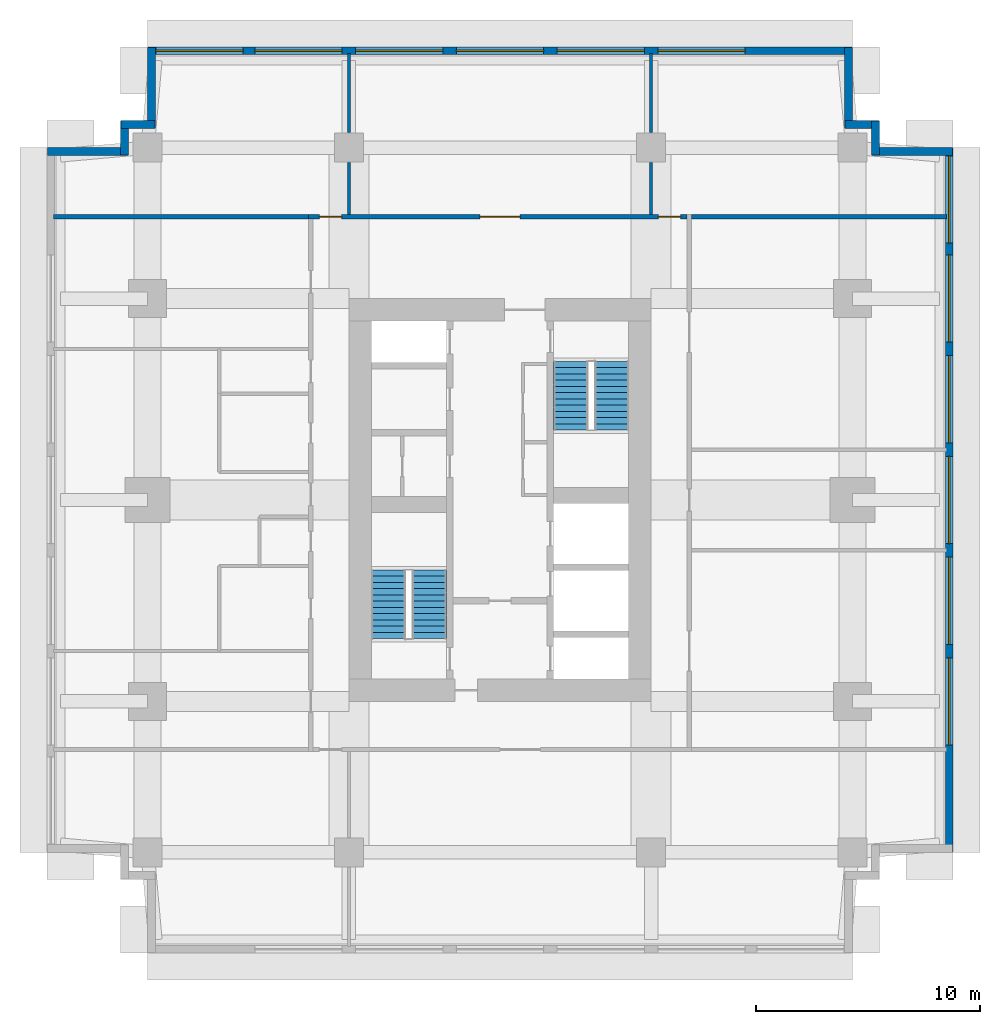
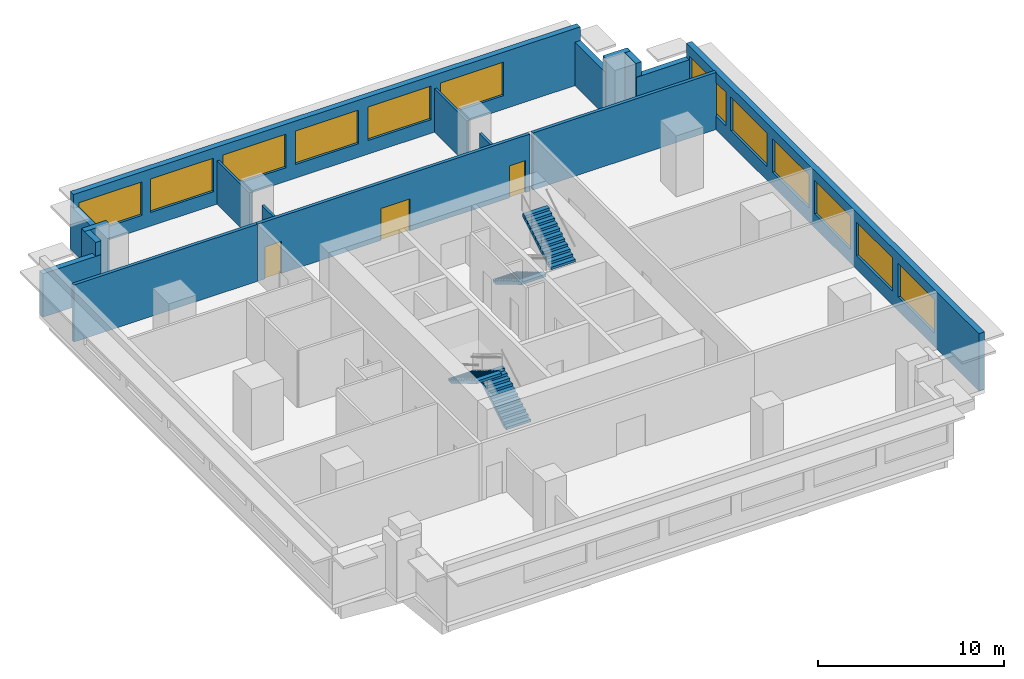
# One storey, part 4 of 5: 17 walls, 12 windows, 4 stair flights, 3 doors, 15 openings, 2 elements without a shape of their own.
"""IFC4 building model written with IfcOpenShell, lengths in metres."""

from ifc_helpers import new_model, si_unit, direction, frame, frame_2d, origin, place, context, subcontext, project, spatial, polyline, rectangle, outline, extrude, material, layer, layer_set, type_object, element, fill, aggregate, save


model = new_model("IFC4")

# Units and contexts
model_context = context("Model", 3, precision=1e-05, world=origin(), true_north=direction((0.0, 1.0)))
body_context = subcontext(model_context, "Body", "Model", "MODEL_VIEW")
ifc_project = project(units=[si_unit("LENGTHUNIT", "METRE"), si_unit("AREAUNIT", "SQUARE_METRE"), si_unit("VOLUMEUNIT", "CUBIC_METRE"), si_unit("PLANEANGLEUNIT", "RADIAN"), si_unit("MASSUNIT", "GRAM", prefix="KILO")], contexts=[model_context])

# Site, building, storey
site_placement = place(None, origin())
site = spatial("IfcSite", under=ifc_project, at=site_placement, CompositionType="ELEMENT")
building_placement = place(site_placement, origin())
building = spatial("IfcBuilding", under=site, at=building_placement, Name="Namib Vertical Campus", CompositionType="ELEMENT")
storey_placement = place(building_placement, frame((0.0, 0.0, 273.0)))
storey = spatial("IfcBuildingStorey", under=building, at=storey_placement, Name="L64", CompositionType="ELEMENT", Elevation=273.0)

# Wall, openings, doors
ifc_material_1 = material(Name="Concrete masonry", Category="masonry")
ifc_layer_1 = layer(ifc_material_1, 0.199951171875)
ifc_layer_set_1 = layer_set([ifc_layer_1], Name="Corridor wall 200")
wall_type_1 = type_object("IfcWallType", Name="Corridor wall 200", PredefinedType="SOLIDWALL", material=ifc_layer_set_1)
wall_1_placement = place(storey_placement, frame((28.60009765625, 32.89990234375, 0.0), z_axis=(0.0, 0.0, 1.0), x_axis=(-1.0, 0.0, 0.0)))
wall_1 = element("IfcWall", 1, at=wall_1_placement, inside=storey, type_object=wall_type_1, Name="Corridor wall A L64 CN", PredefinedType="SOLIDWALL", context=body_context, shape_type="SweptSolid", body=[
    extrude(rectangle(XDim=16.900146484375, YDim=0.199951171875, at=frame_2d((8.4501953125, 0.0))), origin(), (0.0, 0.0, 1.0), 3.75),
])
opening_1_placement = place(wall_1_placement, frame((15.425048828125, 0.0, 0.0)))
opening_1 = element("IfcOpeningElement", 2, at=opening_1_placement, cuts=wall_1, Name="Opening CD1", PredefinedType="OPENING", context=body_context, shape_type="SweptSolid", body=[
    extrude(rectangle(XDim=1.0, YDim=2.10009765625, at=frame_2d((0.5, 1.050048828125))), frame((0.0, 0.10986328125, 0.0), z_axis=(0.0, -1.0, 0.0), x_axis=(1.0, 0.0, 0.0)), (0.0, 0.0, 1.0), 0.219970703125),
])
opening_2_placement = place(wall_1_placement, frame((7.449951171875, 0.0, 0.0)))
opening_2 = element("IfcOpeningElement", 3, at=opening_2_placement, cuts=wall_1, Name="Opening CD2", PredefinedType="OPENING", context=body_context, shape_type="SweptSolid", body=[
    extrude(rectangle(XDim=1.800048828125, YDim=2.10009765625, at=frame_2d((0.89990234375, 1.050048828125))), frame((0.0, 0.10986328125, 0.0), z_axis=(0.0, -1.0, 0.0), x_axis=(1.0, 0.0, 0.0)), (0.0, 0.0, 1.0), 0.219970703125),
])
opening_3_placement = place(wall_1_placement, frame((0.27490234375, 0.0, 0.0)))
opening_3 = element("IfcOpeningElement", 4, at=opening_3_placement, cuts=wall_1, Name="Opening CD1", PredefinedType="OPENING", context=body_context, shape_type="SweptSolid", body=[
    extrude(rectangle(XDim=1.0, YDim=2.10009765625, at=frame_2d((0.5, 1.050048828125))), frame((0.0, 0.10986328125, 0.0), z_axis=(0.0, -1.0, 0.0), x_axis=(1.0, 0.0, 0.0)), (0.0, 0.0, 1.0), 0.219970703125),
])
ifc_material_2 = material(Name="Timber fire door leaf", Category="wood")
door_type_1 = type_object("IfcDoorType", Name="Corridor door 1000x2100 20 min", OperationType="SINGLE_SWING_LEFT", PredefinedType="DOOR", material=ifc_material_2)
door_1_placement = place(opening_1_placement, frame((1.0, 0.0, 0.0), z_axis=(0.0, 0.0, 1.0), x_axis=(-1.0, 0.0, 0.0)))
door_1 = element("IfcDoor", 5, at=door_1_placement, inside=storey, type_object=door_type_1, Name="Door CD1 A64-06", OperationType="SINGLE_SWING_RIGHT", OverallHeight=2.10009765625, OverallWidth=1.0, PredefinedType="DOOR", context=body_context, shape_type="SweptSolid", body=[
    extrude(rectangle(XDim=1.0, YDim=2.10009765625, at=frame_2d((0.5, 1.050048828125))), frame((0.0, 0.02490234375, 0.0), z_axis=(0.0, -1.0, 0.0), x_axis=(1.0, 0.0, 0.0)), (0.0, 0.0, 1.0), 0.050048828125),
])
fill(opening_1, door_1)
door_2_placement = place(opening_3_placement, frame((1.0, 0.0, 0.0), z_axis=(0.0, 0.0, 1.0), x_axis=(-1.0, 0.0, 0.0)))
door_2 = element("IfcDoor", 6, at=door_2_placement, inside=storey, type_object=door_type_1, Name="Door CD1 A64-08", OperationType="SINGLE_SWING_LEFT", OverallHeight=2.10009765625, OverallWidth=1.0, PredefinedType="DOOR", context=body_context, shape_type="SweptSolid", body=[
    extrude(rectangle(XDim=1.0, YDim=2.10009765625, at=frame_2d((0.5, 1.050048828125))), frame((0.0, 0.02490234375, 0.0), z_axis=(0.0, -1.0, 0.0), x_axis=(1.0, 0.0, 0.0)), (0.0, 0.0, 1.0), 0.050048828125),
])
fill(opening_3, door_2)
ifc_material_3 = material(Name="Timber fire door leaf", Category="wood")
door_type_2 = type_object("IfcDoorType", Name="Corridor door double 1800x2100 20 min", OperationType="DOUBLE_DOOR_SINGLE_SWING", PredefinedType="DOOR", material=ifc_material_3)
door_3_placement = place(opening_2_placement, frame((1.800048828125, 0.0, 0.0), z_axis=(0.0, 0.0, 1.0), x_axis=(-1.0, 0.0, 0.0)))
door_3 = element("IfcDoor", 7, at=door_3_placement, inside=storey, type_object=door_type_2, Name="Door CD2 A64-07", OperationType="DOUBLE_DOOR_SINGLE_SWING", OverallHeight=2.10009765625, OverallWidth=1.800048828125, PredefinedType="DOOR", context=body_context, shape_type="SweptSolid", body=[
    extrude(rectangle(XDim=1.800048828125, YDim=2.10009765625, at=frame_2d((0.89990234375, 1.050048828125))), frame((0.0, 0.02490234375, 0.0), z_axis=(0.0, -1.0, 0.0), x_axis=(1.0, 0.0, 0.0)), (0.0, 0.0, 1.0), 0.050048828125),
])
fill(opening_2, door_3)

# Walls
for number, where, z_axis, x_axis, name in (
    (8, (0.300048828125, 32.89990234375, 0.0), (0.0, 0.0, 1.0), (1.0, 0.0, 0.0), "Partition A L64 BNW"),
    (9, (28.800048828125, 32.89990234375, 0.0), (0.0, 0.0, 1.0), (1.0, 0.0, 0.0), "Partition A L64 BNE"),
):
    element("IfcWall", number, at=place(storey_placement, frame(where, z_axis=z_axis, x_axis=x_axis)), inside=storey, type_object=wall_type_1, Name=name, PredefinedType="SOLIDWALL", context=body_context, shape_type="SweptSolid", body=[
        extrude(rectangle(XDim=11.39990234375, YDim=0.199951171875, at=frame_2d((5.699951171875, 0.0))), origin(), (0.0, 0.0, 1.0), 3.75),
    ])

# Wall, openings, windows
ifc_material_4 = material(Name="Concrete C40/50", Category="concrete")
ifc_layer_2 = layer(ifc_material_4, 0.35009765625)
ifc_layer_set_2 = layer_set([ifc_layer_2], Name="Concrete C40/50")
wall_type_2 = type_object("IfcWallType", Name="External wall 350 bush-hammered concrete", PredefinedType="STANDARD", material=ifc_layer_set_2)
wall_2_placement = place(storey_placement, frame((40.324951171875, 4.52001953125, 0.0), z_axis=(0.0, 0.0, 1.0), x_axis=(0.0, 1.0, 0.0)))
wall_2 = element("IfcWall", 10, at=wall_2_placement, inside=storey, type_object=wall_type_2, Name="External wall L64 F06", PredefinedType="STANDARD", context=body_context, shape_type="SweptSolid", body=[
    extrude(rectangle(XDim=31.4599609375, YDim=0.35009765625, at=frame_2d((15.72998046875, 0.0))), origin(), (0.0, 0.0, 1.0), 3.75),
])
opening_4_placement = place(wall_2_placement, frame((4.780029296875, 0.0, 0.89990234375)))
opening_4 = element("IfcOpeningElement", 11, at=opening_4_placement, cuts=wall_2, Name="Opening W1", PredefinedType="OPENING", context=body_context, shape_type="SweptSolid", body=[
    extrude(rectangle(XDim=3.89990234375, YDim=2.199951171875, at=frame_2d((1.949951171875, 1.10009765625))), frame((0.0, 0.18505859375, 0.0), z_axis=(0.0, -1.0, 0.0), x_axis=(1.0, 0.0, 0.0)), (0.0, 0.0, 1.0), 0.3701171875),
])
opening_5_placement = place(wall_2_placement, frame((9.280029296875, 0.0, 0.89990234375)))
opening_5 = element("IfcOpeningElement", 12, at=opening_5_placement, cuts=wall_2, Name="Opening W1", PredefinedType="OPENING", context=body_context, shape_type="SweptSolid", body=[
    extrude(rectangle(XDim=3.89990234375, YDim=2.199951171875, at=frame_2d((1.949951171875, 1.10009765625))), frame((0.0, 0.18505859375, 0.0), z_axis=(0.0, -1.0, 0.0), x_axis=(1.0, 0.0, 0.0)), (0.0, 0.0, 1.0), 0.3701171875),
])
opening_6_placement = place(wall_2_placement, frame((13.780029296875, 0.0, 0.89990234375)))
opening_6 = element("IfcOpeningElement", 13, at=opening_6_placement, cuts=wall_2, Name="Opening W1", PredefinedType="OPENING", context=body_context, shape_type="SweptSolid", body=[
    extrude(rectangle(XDim=3.89990234375, YDim=2.199951171875, at=frame_2d((1.949951171875, 1.10009765625))), frame((0.0, 0.18505859375, 0.0), z_axis=(0.0, -1.0, 0.0), x_axis=(1.0, 0.0, 0.0)), (0.0, 0.0, 1.0), 0.3701171875),
])
opening_7_placement = place(wall_2_placement, frame((18.280029296875, 0.0, 0.89990234375)))
opening_7 = element("IfcOpeningElement", 14, at=opening_7_placement, cuts=wall_2, Name="Opening W1", PredefinedType="OPENING", context=body_context, shape_type="SweptSolid", body=[
    extrude(rectangle(XDim=3.89990234375, YDim=2.199951171875, at=frame_2d((1.949951171875, 1.10009765625))), frame((0.0, 0.18505859375, 0.0), z_axis=(0.0, -1.0, 0.0), x_axis=(1.0, 0.0, 0.0)), (0.0, 0.0, 1.0), 0.3701171875),
])
opening_8_placement = place(wall_2_placement, frame((22.780029296875, 0.0, 0.89990234375)))
opening_8 = element("IfcOpeningElement", 15, at=opening_8_placement, cuts=wall_2, Name="Opening W1", PredefinedType="OPENING", context=body_context, shape_type="SweptSolid", body=[
    extrude(rectangle(XDim=3.89990234375, YDim=2.199951171875, at=frame_2d((1.949951171875, 1.10009765625))), frame((0.0, 0.18505859375, 0.0), z_axis=(0.0, -1.0, 0.0), x_axis=(1.0, 0.0, 0.0)), (0.0, 0.0, 1.0), 0.3701171875),
])
opening_9_placement = place(wall_2_placement, frame((27.2099609375, 0.0, 0.89990234375)))
opening_9 = element("IfcOpeningElement", 16, at=opening_9_placement, cuts=wall_2, Name="Opening W1", PredefinedType="OPENING", context=body_context, shape_type="SweptSolid", body=[
    extrude(rectangle(XDim=3.89990234375, YDim=2.199951171875, at=frame_2d((1.949951171875, 1.10009765625))), frame((0.0, 0.18505859375, 0.0), z_axis=(0.0, -1.0, 0.0), x_axis=(1.0, 0.0, 0.0)), (0.0, 0.0, 1.0), 0.3701171875),
])
ifc_material_5 = material(Name="Dark tinted glass in black aluminium frame", Category="aluminium")
window_type = type_object("IfcWindowType", Name="Ribbon window 3900x2200", PartitioningType="SINGLE_PANEL", PredefinedType="WINDOW", material=ifc_material_5)
window_1_placement = place(opening_4_placement, origin())
window_1 = element("IfcWindow", 17, at=window_1_placement, inside=storey, type_object=window_type, Name="Window W1 L64 F06-2", OverallHeight=2.199951171875, OverallWidth=3.89990234375, PartitioningType="SINGLE_PANEL", PredefinedType="WINDOW", context=body_context, shape_type="SweptSolid", body=[
    extrude(rectangle(XDim=3.89990234375, YDim=2.199951171875, at=frame_2d((1.949951171875, 1.10009765625))), frame((0.0, 0.030029296875, 0.0), z_axis=(0.0, -1.0, 0.0), x_axis=(1.0, 0.0, 0.0)), (0.0, 0.0, 1.0), 0.06005859375),
])
fill(opening_4, window_1)
window_2_placement = place(opening_5_placement, origin())
window_2 = element("IfcWindow", 18, at=window_2_placement, inside=storey, type_object=window_type, Name="Window W1 L64 F06-3", OverallHeight=2.199951171875, OverallWidth=3.89990234375, PartitioningType="SINGLE_PANEL", PredefinedType="WINDOW", context=body_context, shape_type="SweptSolid", body=[
    extrude(rectangle(XDim=3.89990234375, YDim=2.199951171875, at=frame_2d((1.949951171875, 1.10009765625))), frame((0.0, 0.030029296875, 0.0), z_axis=(0.0, -1.0, 0.0), x_axis=(1.0, 0.0, 0.0)), (0.0, 0.0, 1.0), 0.06005859375),
])
fill(opening_5, window_2)
window_3_placement = place(opening_6_placement, origin())
window_3 = element("IfcWindow", 19, at=window_3_placement, inside=storey, type_object=window_type, Name="Window W1 L64 F06-4", OverallHeight=2.199951171875, OverallWidth=3.89990234375, PartitioningType="SINGLE_PANEL", PredefinedType="WINDOW", context=body_context, shape_type="SweptSolid", body=[
    extrude(rectangle(XDim=3.89990234375, YDim=2.199951171875, at=frame_2d((1.949951171875, 1.10009765625))), frame((0.0, 0.030029296875, 0.0), z_axis=(0.0, -1.0, 0.0), x_axis=(1.0, 0.0, 0.0)), (0.0, 0.0, 1.0), 0.06005859375),
])
fill(opening_6, window_3)
window_4_placement = place(opening_7_placement, origin())
window_4 = element("IfcWindow", 20, at=window_4_placement, inside=storey, type_object=window_type, Name="Window W1 L64 F06-5", OverallHeight=2.199951171875, OverallWidth=3.89990234375, PartitioningType="SINGLE_PANEL", PredefinedType="WINDOW", context=body_context, shape_type="SweptSolid", body=[
    extrude(rectangle(XDim=3.89990234375, YDim=2.199951171875, at=frame_2d((1.949951171875, 1.10009765625))), frame((0.0, 0.030029296875, 0.0), z_axis=(0.0, -1.0, 0.0), x_axis=(1.0, 0.0, 0.0)), (0.0, 0.0, 1.0), 0.06005859375),
])
fill(opening_7, window_4)
window_5_placement = place(opening_8_placement, origin())
window_5 = element("IfcWindow", 21, at=window_5_placement, inside=storey, type_object=window_type, Name="Window W1 L64 F06-6", OverallHeight=2.199951171875, OverallWidth=3.89990234375, PartitioningType="SINGLE_PANEL", PredefinedType="WINDOW", context=body_context, shape_type="SweptSolid", body=[
    extrude(rectangle(XDim=3.89990234375, YDim=2.199951171875, at=frame_2d((1.949951171875, 1.10009765625))), frame((0.0, 0.030029296875, 0.0), z_axis=(0.0, -1.0, 0.0), x_axis=(1.0, 0.0, 0.0)), (0.0, 0.0, 1.0), 0.06005859375),
])
fill(opening_8, window_5)
window_6_placement = place(opening_9_placement, origin())
window_6 = element("IfcWindow", 22, at=window_6_placement, inside=storey, type_object=window_type, Name="Window W1 L64 F06-7", OverallHeight=2.199951171875, OverallWidth=3.89990234375, PartitioningType="SINGLE_PANEL", PredefinedType="WINDOW", context=body_context, shape_type="SweptSolid", body=[
    extrude(rectangle(XDim=3.89990234375, YDim=2.199951171875, at=frame_2d((1.949951171875, 1.10009765625))), frame((0.0, 0.030029296875, 0.0), z_axis=(0.0, -1.0, 0.0), x_axis=(1.0, 0.0, 0.0)), (0.0, 0.0, 1.0), 0.06005859375),
])
fill(opening_9, window_6)

# Walls
wall_3_placement = place(storey_placement, frame((40.47998046875, 35.824951171875, 0.0), z_axis=(0.0, 0.0, 1.0), x_axis=(-1.0, 0.0, 0.0)))
element("IfcWall", 23, at=wall_3_placement, inside=storey, type_object=wall_type_2, Name="External wall L64 F07", PredefinedType="STANDARD", context=body_context, shape_type="SweptSolid", body=[
    extrude(rectangle(XDim=3.60986328125, YDim=0.35009765625, at=frame_2d((1.804931640625, 0.0))), origin(), (0.0, 0.0, 1.0), 2.85009765625),
])
for number, where, z_axis, x_axis, name in (
    (24, (37.02490234375, 35.669921875, 0.0), (0.0, 0.0, 1.0), (0.0, 1.0, 0.0), "External wall L64 F08"),
    (25, (37.179931640625, 37.02490234375, 0.0), (0.0, 0.0, 1.0), (-1.0, 0.0, 0.0), "External wall L64 F09"),
):
    element("IfcWall", number, at=place(storey_placement, frame(where, z_axis=z_axis, x_axis=x_axis)), inside=storey, type_object=wall_type_2, Name=name, PredefinedType="STANDARD", context=body_context, shape_type="SweptSolid", body=[
        extrude(rectangle(XDim=1.510009765625, YDim=0.35009765625, at=frame_2d((0.7548828125, 0.0))), origin(), (0.0, 0.0, 1.0), 3.75),
    ])
wall_4_placement = place(storey_placement, frame((35.824951171875, 36.8701171875, 0.0), z_axis=(0.0, 0.0, 1.0), x_axis=(0.0, 1.0, 0.0)))
element("IfcWall", 26, at=wall_4_placement, inside=storey, type_object=wall_type_2, Name="External wall L64 F10", PredefinedType="STANDARD", context=body_context, shape_type="SweptSolid", body=[
    extrude(rectangle(XDim=3.60986328125, YDim=0.35009765625, at=frame_2d((1.804931640625, 0.0))), origin(), (0.0, 0.0, 1.0), 2.85009765625),
])

# Wall, openings, windows
wall_5_placement = place(storey_placement, frame((35.97998046875, 40.324951171875, 0.0), z_axis=(0.0, 0.0, 1.0), x_axis=(-1.0, 0.0, 0.0)))
wall_5 = element("IfcWall", 27, at=wall_5_placement, inside=storey, type_object=wall_type_2, Name="External wall L64 F11", PredefinedType="STANDARD", context=body_context, shape_type="SweptSolid", body=[
    extrude(rectangle(XDim=31.4599609375, YDim=0.35009765625, at=frame_2d((15.72998046875, 0.0))), origin(), (0.0, 0.0, 1.0), 3.75),
])
opening_10_placement = place(wall_5_placement, frame((27.2099609375, 0.0, 0.89990234375)))
opening_10 = element("IfcOpeningElement", 28, at=opening_10_placement, cuts=wall_5, Name="Opening W1", PredefinedType="OPENING", context=body_context, shape_type="SweptSolid", body=[
    extrude(rectangle(XDim=3.89990234375, YDim=2.199951171875, at=frame_2d((1.949951171875, 1.10009765625))), frame((0.0, 0.18505859375, 0.0), z_axis=(0.0, -1.0, 0.0), x_axis=(1.0, 0.0, 0.0)), (0.0, 0.0, 1.0), 0.3701171875),
])
opening_11_placement = place(wall_5_placement, frame((22.780029296875, 0.0, 0.89990234375)))
opening_11 = element("IfcOpeningElement", 29, at=opening_11_placement, cuts=wall_5, Name="Opening W1", PredefinedType="OPENING", context=body_context, shape_type="SweptSolid", body=[
    extrude(rectangle(XDim=3.89990234375, YDim=2.199951171875, at=frame_2d((1.949951171875, 1.10009765625))), frame((0.0, 0.18505859375, 0.0), z_axis=(0.0, -1.0, 0.0), x_axis=(1.0, 0.0, 0.0)), (0.0, 0.0, 1.0), 0.3701171875),
])
opening_12_placement = place(wall_5_placement, frame((18.280029296875, 0.0, 0.89990234375)))
opening_12 = element("IfcOpeningElement", 30, at=opening_12_placement, cuts=wall_5, Name="Opening W1", PredefinedType="OPENING", context=body_context, shape_type="SweptSolid", body=[
    extrude(rectangle(XDim=3.89990234375, YDim=2.199951171875, at=frame_2d((1.949951171875, 1.10009765625))), frame((0.0, 0.18505859375, 0.0), z_axis=(0.0, -1.0, 0.0), x_axis=(1.0, 0.0, 0.0)), (0.0, 0.0, 1.0), 0.3701171875),
])
opening_13_placement = place(wall_5_placement, frame((13.780029296875, 0.0, 0.89990234375)))
opening_13 = element("IfcOpeningElement", 31, at=opening_13_placement, cuts=wall_5, Name="Opening W1", PredefinedType="OPENING", context=body_context, shape_type="SweptSolid", body=[
    extrude(rectangle(XDim=3.89990234375, YDim=2.199951171875, at=frame_2d((1.949951171875, 1.10009765625))), frame((0.0, 0.18505859375, 0.0), z_axis=(0.0, -1.0, 0.0), x_axis=(1.0, 0.0, 0.0)), (0.0, 0.0, 1.0), 0.3701171875),
])
opening_14_placement = place(wall_5_placement, frame((9.280029296875, 0.0, 0.89990234375)))
opening_14 = element("IfcOpeningElement", 32, at=opening_14_placement, cuts=wall_5, Name="Opening W1", PredefinedType="OPENING", context=body_context, shape_type="SweptSolid", body=[
    extrude(rectangle(XDim=3.89990234375, YDim=2.199951171875, at=frame_2d((1.949951171875, 1.10009765625))), frame((0.0, 0.18505859375, 0.0), z_axis=(0.0, -1.0, 0.0), x_axis=(1.0, 0.0, 0.0)), (0.0, 0.0, 1.0), 0.3701171875),
])
opening_15_placement = place(wall_5_placement, frame((4.780029296875, 0.0, 0.89990234375)))
opening_15 = element("IfcOpeningElement", 33, at=opening_15_placement, cuts=wall_5, Name="Opening W1", PredefinedType="OPENING", context=body_context, shape_type="SweptSolid", body=[
    extrude(rectangle(XDim=3.89990234375, YDim=2.199951171875, at=frame_2d((1.949951171875, 1.10009765625))), frame((0.0, 0.18505859375, 0.0), z_axis=(0.0, -1.0, 0.0), x_axis=(1.0, 0.0, 0.0)), (0.0, 0.0, 1.0), 0.3701171875),
])
window_7_placement = place(opening_10_placement, origin())
window_7 = element("IfcWindow", 34, at=window_7_placement, inside=storey, type_object=window_type, Name="Window W1 L64 F11-1", OverallHeight=2.199951171875, OverallWidth=3.89990234375, PartitioningType="SINGLE_PANEL", PredefinedType="WINDOW", context=body_context, shape_type="SweptSolid", body=[
    extrude(rectangle(XDim=3.89990234375, YDim=2.199951171875, at=frame_2d((1.949951171875, 1.10009765625))), frame((0.0, 0.030029296875, 0.0), z_axis=(0.0, -1.0, 0.0), x_axis=(1.0, 0.0, 0.0)), (0.0, 0.0, 1.0), 0.06005859375),
])
fill(opening_10, window_7)
window_8_placement = place(opening_11_placement, origin())
window_8 = element("IfcWindow", 35, at=window_8_placement, inside=storey, type_object=window_type, Name="Window W1 L64 F11-2", OverallHeight=2.199951171875, OverallWidth=3.89990234375, PartitioningType="SINGLE_PANEL", PredefinedType="WINDOW", context=body_context, shape_type="SweptSolid", body=[
    extrude(rectangle(XDim=3.89990234375, YDim=2.199951171875, at=frame_2d((1.949951171875, 1.10009765625))), frame((0.0, 0.030029296875, 0.0), z_axis=(0.0, -1.0, 0.0), x_axis=(1.0, 0.0, 0.0)), (0.0, 0.0, 1.0), 0.06005859375),
])
fill(opening_11, window_8)
window_9_placement = place(opening_12_placement, origin())
window_9 = element("IfcWindow", 36, at=window_9_placement, inside=storey, type_object=window_type, Name="Window W1 L64 F11-3", OverallHeight=2.199951171875, OverallWidth=3.89990234375, PartitioningType="SINGLE_PANEL", PredefinedType="WINDOW", context=body_context, shape_type="SweptSolid", body=[
    extrude(rectangle(XDim=3.89990234375, YDim=2.199951171875, at=frame_2d((1.949951171875, 1.10009765625))), frame((0.0, 0.030029296875, 0.0), z_axis=(0.0, -1.0, 0.0), x_axis=(1.0, 0.0, 0.0)), (0.0, 0.0, 1.0), 0.06005859375),
])
fill(opening_12, window_9)
window_10_placement = place(opening_13_placement, origin())
window_10 = element("IfcWindow", 37, at=window_10_placement, inside=storey, type_object=window_type, Name="Window W1 L64 F11-4", OverallHeight=2.199951171875, OverallWidth=3.89990234375, PartitioningType="SINGLE_PANEL", PredefinedType="WINDOW", context=body_context, shape_type="SweptSolid", body=[
    extrude(rectangle(XDim=3.89990234375, YDim=2.199951171875, at=frame_2d((1.949951171875, 1.10009765625))), frame((0.0, 0.030029296875, 0.0), z_axis=(0.0, -1.0, 0.0), x_axis=(1.0, 0.0, 0.0)), (0.0, 0.0, 1.0), 0.06005859375),
])
fill(opening_13, window_10)
window_11_placement = place(opening_14_placement, origin())
window_11 = element("IfcWindow", 38, at=window_11_placement, inside=storey, type_object=window_type, Name="Window W1 L64 F11-5", OverallHeight=2.199951171875, OverallWidth=3.89990234375, PartitioningType="SINGLE_PANEL", PredefinedType="WINDOW", context=body_context, shape_type="SweptSolid", body=[
    extrude(rectangle(XDim=3.89990234375, YDim=2.199951171875, at=frame_2d((1.949951171875, 1.10009765625))), frame((0.0, 0.030029296875, 0.0), z_axis=(0.0, -1.0, 0.0), x_axis=(1.0, 0.0, 0.0)), (0.0, 0.0, 1.0), 0.06005859375),
])
fill(opening_14, window_11)
window_12_placement = place(opening_15_placement, origin())
window_12 = element("IfcWindow", 39, at=window_12_placement, inside=storey, type_object=window_type, Name="Window W1 L64 F11-6", OverallHeight=2.199951171875, OverallWidth=3.89990234375, PartitioningType="SINGLE_PANEL", PredefinedType="WINDOW", context=body_context, shape_type="SweptSolid", body=[
    extrude(rectangle(XDim=3.89990234375, YDim=2.199951171875, at=frame_2d((1.949951171875, 1.10009765625))), frame((0.0, 0.030029296875, 0.0), z_axis=(0.0, -1.0, 0.0), x_axis=(1.0, 0.0, 0.0)), (0.0, 0.0, 1.0), 0.06005859375),
])
fill(opening_15, window_12)

# Walls
wall_6_placement = place(storey_placement, frame((4.675048828125, 40.47998046875, 0.0), z_axis=(0.0, 0.0, 1.0), x_axis=(0.0, -1.0, 0.0)))
element("IfcWall", 40, at=wall_6_placement, inside=storey, type_object=wall_type_2, Name="External wall L64 F12", PredefinedType="STANDARD", context=body_context, shape_type="SweptSolid", body=[
    extrude(rectangle(XDim=3.60986328125, YDim=0.35009765625, at=frame_2d((1.804931640625, 0.0))), origin(), (0.0, 0.0, 1.0), 2.85009765625),
])
for number, where, z_axis, x_axis, name in (
    (41, (4.830078125, 37.02490234375, 0.0), (0.0, 0.0, 1.0), (-1.0, 0.0, 0.0), "External wall L64 F13"),
    (42, (3.47509765625, 37.179931640625, 0.0), (0.0, 0.0, 1.0), (0.0, -1.0, 0.0), "External wall L64 F14"),
):
    element("IfcWall", number, at=place(storey_placement, frame(where, z_axis=z_axis, x_axis=x_axis)), inside=storey, type_object=wall_type_2, Name=name, PredefinedType="STANDARD", context=body_context, shape_type="SweptSolid", body=[
        extrude(rectangle(XDim=1.510009765625, YDim=0.35009765625, at=frame_2d((0.7548828125, 0.0))), origin(), (0.0, 0.0, 1.0), 3.75),
    ])
wall_7_placement = place(storey_placement, frame((3.6298828125, 35.824951171875, 0.0), z_axis=(0.0, 0.0, 1.0), x_axis=(-1.0, 0.0, 0.0)))
element("IfcWall", 43, at=wall_7_placement, inside=storey, type_object=wall_type_2, Name="External wall L64 F15", PredefinedType="STANDARD", context=body_context, shape_type="SweptSolid", body=[
    extrude(rectangle(XDim=3.60986328125, YDim=0.35009765625, at=frame_2d((1.804931640625, 0.0))), origin(), (0.0, 0.0, 1.0), 2.85009765625),
])
ifc_material_6 = material(Name="Gypsum board on steel studs", Category="steel")
ifc_layer_3 = layer(ifc_material_6, 0.14990234375)
ifc_layer_set_3 = layer_set([ifc_layer_3], Name="Gypsum board on steel studs")
wall_type_3 = type_object("IfcWallType", Name="Partition 150", PredefinedType="PARTITIONING", material=ifc_layer_set_3)
wall_8_placement = place(storey_placement, frame((13.5, 33.0, 0.0), z_axis=(0.0, 0.0, 1.0), x_axis=(0.0, 1.0, 0.0)))
element("IfcWall", 44, at=wall_8_placement, inside=storey, type_object=wall_type_3, Name="Partition A L64 PN1", PredefinedType="PARTITIONING", context=body_context, shape_type="SweptSolid", body=[
    extrude(rectangle(XDim=2.330078125, YDim=0.14990234375, at=frame_2d((1.1650390625, 0.0))), origin(), (0.0, 0.0, 1.0), 2.85009765625),
])
wall_9_placement = place(storey_placement, frame((13.5, 36.669921875, 0.0), z_axis=(0.0, 0.0, 1.0), x_axis=(0.0, 1.0, 0.0)))
element("IfcWall", 45, at=wall_9_placement, inside=storey, type_object=wall_type_3, Name="Partition A L64 PN1", PredefinedType="PARTITIONING", context=body_context, shape_type="SweptSolid", body=[
    extrude(rectangle(XDim=3.530029296875, YDim=0.14990234375, at=frame_2d((1.76513671875, 0.0))), origin(), (0.0, 0.0, 1.0), 2.85009765625),
])
wall_10_placement = place(storey_placement, frame((27.0, 33.0, 0.0), z_axis=(0.0, 0.0, 1.0), x_axis=(0.0, 1.0, 0.0)))
element("IfcWall", 46, at=wall_10_placement, inside=storey, type_object=wall_type_3, Name="Partition A L64 PN2", PredefinedType="PARTITIONING", context=body_context, shape_type="SweptSolid", body=[
    extrude(rectangle(XDim=2.330078125, YDim=0.14990234375, at=frame_2d((1.1650390625, 0.0))), origin(), (0.0, 0.0, 1.0), 2.85009765625),
])
wall_11_placement = place(storey_placement, frame((27.0, 36.669921875, 0.0), z_axis=(0.0, 0.0, 1.0), x_axis=(0.0, 1.0, 0.0)))
element("IfcWall", 47, at=wall_11_placement, inside=storey, type_object=wall_type_3, Name="Partition A L64 PN2", PredefinedType="PARTITIONING", context=body_context, shape_type="SweptSolid", body=[
    extrude(rectangle(XDim=3.530029296875, YDim=0.14990234375, at=frame_2d((1.76513671875, 0.0))), origin(), (0.0, 0.0, 1.0), 2.85009765625),
])

# Stair, stair flights
ifc_material_7 = material(Name="Concrete C40/50 precast", Category="concrete")
stair_type = type_object("IfcStairType", Name="Exit stair 4000 rise 24 risers 3350 wide", PredefinedType="HALF_TURN_STAIR", material=ifc_material_7)
stair_1_placement = place(storey_placement, origin())
stair_1 = element("IfcStair", 48, at=stair_1_placement, inside=storey, type_object=stair_type, Name="Exit stair A-S1 L64", PredefinedType="HALF_TURN_STAIR")
ifc_material_8 = material(Name="Concrete C40/50 precast", Category="concrete")
stair_flight_type = type_object("IfcStairFlightType", Name="Stair flight 12 risers 167 1525 wide", PredefinedType="STRAIGHT", material=ifc_material_8)
stair_flight_1_placement = place(storey_placement, frame((17.08740234375, 14.050048828125, 0.0), z_axis=(0.0, 0.0, 1.0), x_axis=(0.0, 1.0, 0.0)))
stair_flight_1 = element("IfcStairFlight", 49, at=stair_flight_1_placement, type_object=stair_flight_type, Name="A-S1 flight 1", NumberOfRisers=12, NumberOfTreads=11, PredefinedType="STRAIGHT", RiserHeight=0.166666667, TreadLength=0.28, context=body_context, shape_type="SweptSolid", body=[
    extrude(outline(polyline([(0.0, 0.0), (0.0, 0.166748046875), (0.280029296875, 0.166748046875), (0.280029296875, 0.333251953125), (0.56005859375, 0.333251953125), (0.56005859375, 0.5), (0.840087890625, 0.5), (0.840087890625, 0.666748046875), (1.1201171875, 0.666748046875), (1.1201171875, 0.833251953125), (1.39990234375, 0.833251953125), (1.39990234375, 1.0), (1.679931640625, 1.0), (1.679931640625, 1.166748046875), (1.9599609375, 1.166748046875), (1.9599609375, 1.333251953125), (2.239990234375, 1.333251953125), (2.239990234375, 1.5), (2.52001953125, 1.5), (2.52001953125, 1.666748046875), (2.800048828125, 1.666748046875), (2.800048828125, 1.833251953125), (3.080078125, 1.833251953125), (3.080078125, 2.0), (3.080078125, 1.658935546875), (0.29296875, 0.0), (0.0, 0.0)])), frame((0.0, 0.762451171875, 0.0), z_axis=(0.0, -1.0, 0.0), x_axis=(1.0, 0.0, 0.0)), (0.0, 0.0, 1.0), 1.52490234375),
])
stair_flight_2_placement = place(storey_placement, frame((15.262451171875, 17.1298828125, 2.0), z_axis=(0.0, 0.0, 1.0), x_axis=(0.0, -1.0, 0.0)))
stair_flight_2 = element("IfcStairFlight", 50, at=stair_flight_2_placement, type_object=stair_flight_type, Name="A-S1 flight 2", NumberOfRisers=12, NumberOfTreads=11, PredefinedType="STRAIGHT", RiserHeight=0.166666667, TreadLength=0.28, context=body_context, shape_type="SweptSolid", body=[
    extrude(outline(polyline([(0.0, 0.0), (0.0, 0.166748046875), (0.280029296875, 0.166748046875), (0.280029296875, 0.333251953125), (0.56005859375, 0.333251953125), (0.56005859375, 0.5), (0.840087890625, 0.5), (0.840087890625, 0.666748046875), (1.1201171875, 0.666748046875), (1.1201171875, 0.833251953125), (1.39990234375, 0.833251953125), (1.39990234375, 1.0), (1.679931640625, 1.0), (1.679931640625, 1.166748046875), (1.9599609375, 1.166748046875), (1.9599609375, 1.333251953125), (2.239990234375, 1.333251953125), (2.239990234375, 1.5), (2.52001953125, 1.5), (2.52001953125, 1.666748046875), (2.800048828125, 1.666748046875), (2.800048828125, 1.833251953125), (3.080078125, 1.833251953125), (3.080078125, 2.0), (3.080078125, 1.658935546875), (0.29296875, 0.0), (0.0, 0.0)])), frame((0.0, 0.762451171875, 0.0), z_axis=(0.0, -1.0, 0.0), x_axis=(1.0, 0.0, 0.0)), (0.0, 0.0, 1.0), 1.52490234375),
])
aggregate(stair_1, [stair_flight_1, stair_flight_2])

stair_2_placement = place(storey_placement, origin())
stair_2 = element("IfcStair", 51, at=stair_2_placement, inside=storey, type_object=stair_type, Name="Exit stair A-S2 L64", PredefinedType="HALF_TURN_STAIR")
stair_flight_3_placement = place(storey_placement, frame((23.41259765625, 26.449951171875, 0.0), z_axis=(0.0, 0.0, 1.0), x_axis=(0.0, -1.0, 0.0)))
stair_flight_3 = element("IfcStairFlight", 52, at=stair_flight_3_placement, type_object=stair_flight_type, Name="A-S2 flight 1", NumberOfRisers=12, NumberOfTreads=11, PredefinedType="STRAIGHT", RiserHeight=0.166666667, TreadLength=0.28, context=body_context, shape_type="SweptSolid", body=[
    extrude(outline(polyline([(0.0, 0.0), (0.0, 0.166748046875), (0.280029296875, 0.166748046875), (0.280029296875, 0.333251953125), (0.56005859375, 0.333251953125), (0.56005859375, 0.5), (0.840087890625, 0.5), (0.840087890625, 0.666748046875), (1.1201171875, 0.666748046875), (1.1201171875, 0.833251953125), (1.39990234375, 0.833251953125), (1.39990234375, 1.0), (1.679931640625, 1.0), (1.679931640625, 1.166748046875), (1.9599609375, 1.166748046875), (1.9599609375, 1.333251953125), (2.239990234375, 1.333251953125), (2.239990234375, 1.5), (2.52001953125, 1.5), (2.52001953125, 1.666748046875), (2.800048828125, 1.666748046875), (2.800048828125, 1.833251953125), (3.080078125, 1.833251953125), (3.080078125, 2.0), (3.080078125, 1.658935546875), (0.29296875, 0.0), (0.0, 0.0)])), frame((0.0, 0.762451171875, 0.0), z_axis=(0.0, -1.0, 0.0), x_axis=(1.0, 0.0, 0.0)), (0.0, 0.0, 1.0), 1.52490234375),
])
stair_flight_4_placement = place(storey_placement, frame((25.237548828125, 23.3701171875, 2.0), z_axis=(0.0, 0.0, 1.0), x_axis=(0.0, 1.0, 0.0)))
stair_flight_4 = element("IfcStairFlight", 53, at=stair_flight_4_placement, type_object=stair_flight_type, Name="A-S2 flight 2", NumberOfRisers=12, NumberOfTreads=11, PredefinedType="STRAIGHT", RiserHeight=0.166666667, TreadLength=0.28, context=body_context, shape_type="SweptSolid", body=[
    extrude(outline(polyline([(0.0, 0.0), (0.0, 0.166748046875), (0.280029296875, 0.166748046875), (0.280029296875, 0.333251953125), (0.56005859375, 0.333251953125), (0.56005859375, 0.5), (0.840087890625, 0.5), (0.840087890625, 0.666748046875), (1.1201171875, 0.666748046875), (1.1201171875, 0.833251953125), (1.39990234375, 0.833251953125), (1.39990234375, 1.0), (1.679931640625, 1.0), (1.679931640625, 1.166748046875), (1.9599609375, 1.166748046875), (1.9599609375, 1.333251953125), (2.239990234375, 1.333251953125), (2.239990234375, 1.5), (2.52001953125, 1.5), (2.52001953125, 1.666748046875), (2.800048828125, 1.666748046875), (2.800048828125, 1.833251953125), (3.080078125, 1.833251953125), (3.080078125, 2.0), (3.080078125, 1.658935546875), (0.29296875, 0.0), (0.0, 0.0)])), frame((0.0, 0.762451171875, 0.0), z_axis=(0.0, -1.0, 0.0), x_axis=(1.0, 0.0, 0.0)), (0.0, 0.0, 1.0), 1.52490234375),
])
aggregate(stair_2, [stair_flight_3, stair_flight_4])

save(model, "model.ifc")
